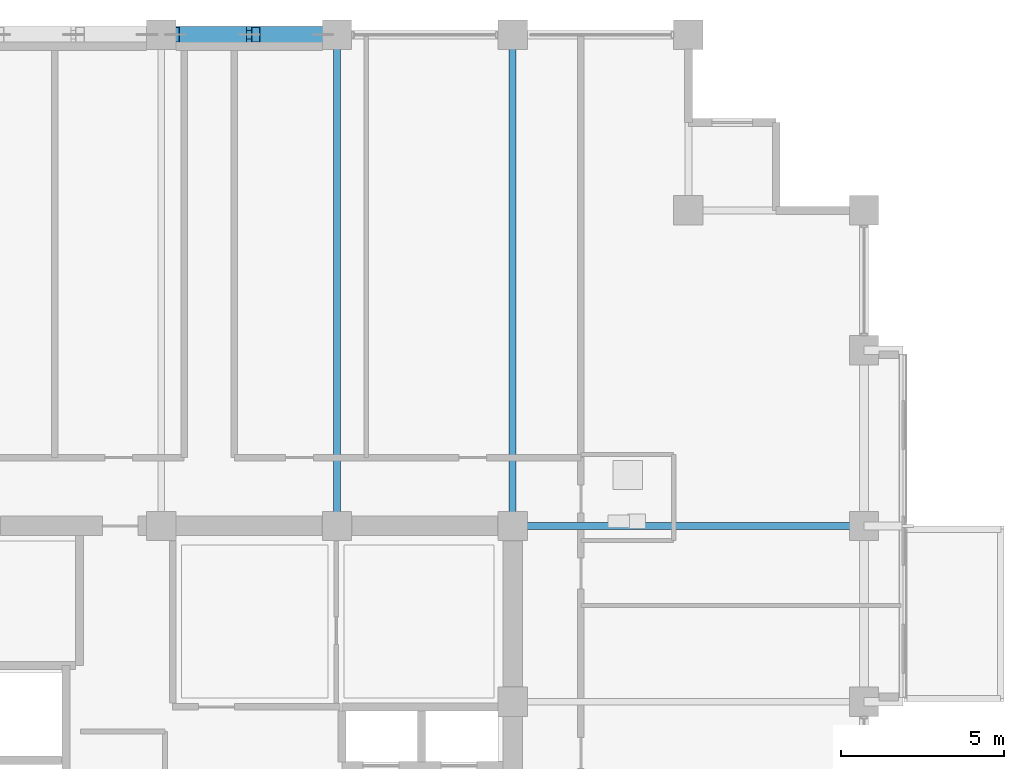
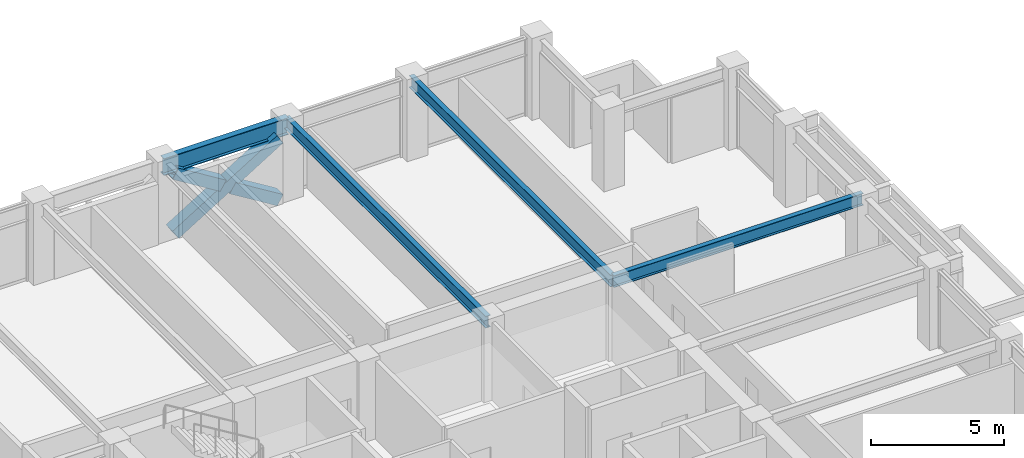
# One storey, part 18 of 28: 4 beams, 3 members.
"""IFC4 building model written with IfcOpenShell, lengths in metres."""

from ifc_helpers import new_model, si_unit, direction, frame, origin, origin_2d, place, context, subcontext, project, spatial, hollow_rectangle, i_section, extrude, material, material_profile, profile_set, type_object, element, save


model = new_model("IFC4")

# Units and contexts
model_context = context("Model", 3, precision=1e-05, world=origin(), true_north=direction((0.0, 1.0)))
body_context = subcontext(model_context, "Body", "Model", "MODEL_VIEW")
ifc_project = project(units=[si_unit("LENGTHUNIT", "METRE"), si_unit("AREAUNIT", "SQUARE_METRE"), si_unit("VOLUMEUNIT", "CUBIC_METRE"), si_unit("PLANEANGLEUNIT", "RADIAN"), si_unit("MASSUNIT", "GRAM", prefix="KILO")], contexts=[model_context])

# Site, building, storey
site_placement = place(None, origin())
site = spatial("IfcSite", under=ifc_project, at=site_placement, CompositionType="ELEMENT")
building_placement = place(site_placement, origin())
building = spatial("IfcBuilding", under=site, at=building_placement, Name="Surkhivell Harbour Commons", CompositionType="ELEMENT")
storey_placement = place(building_placement, frame((0.0, 0.0, 182.25)))
storey = spatial("IfcBuildingStorey", under=building, at=storey_placement, Name="L47", CompositionType="ELEMENT", Elevation=182.25)

# Beams
ifc_material_1 = material(Name="Steel S355", Category="steel")
ifc_material_profile_1 = material_profile(ifc_material_1, i_section(OverallWidth=0.2119140625, OverallDepth=0.5439453125, WebThickness=0.0126953125, FlangeThickness=0.021240234375, at=origin_2d()), Name="UB533x210x122")
ifc_profile_set_1 = profile_set([ifc_material_profile_1], Name="Steel S355")
beam_type_1 = type_object("IfcBeamType", Name="BM-GRD-533A", PredefinedType="BEAM", material=ifc_profile_set_1)
for number, where, z_axis, x_axis, name in (
    (1, (5.39990234375, 10.800048828125, 3.298095703125), (0.0, 1.0, 0.0), (-1.0, 0.0, 0.0), "L47 Floor Girder (5.4,10.8)"),
    (2, (10.800048828125, 10.800048828125, 3.298095703125), (0.0, 1.0, 0.0), (-1.0, 0.0, 0.0), "L47 Floor Girder (10.8,10.8)"),
):
    element("IfcBeam", number, at=place(storey_placement, frame(where, z_axis=z_axis, x_axis=x_axis)), inside=storey, type_object=beam_type_1, Name=name, PredefinedType="BEAM", context=body_context, shape_type="SweptSolid", body=[
        extrude(i_section(OverallWidth=0.2119140625, OverallDepth=0.5439453125, WebThickness=0.0126953125, FlangeThickness=0.021240234375, at=origin_2d()), origin(), (0.0, 0.0, 1.0), 15.099853515625),
    ])
beam_1_placement = place(storey_placement, frame((10.800048828125, 10.800048828125, 3.298095703125), z_axis=(1.0, 0.0, 0.0), x_axis=(0.0, 1.0, 0.0)))
element("IfcBeam", 3, at=beam_1_placement, inside=storey, type_object=beam_type_1, Name="L47 Floor Girder (10.8,10.8)", PredefinedType="BEAM", context=body_context, shape_type="SweptSolid", body=[
    extrude(i_section(OverallWidth=0.2119140625, OverallDepth=0.5439453125, WebThickness=0.0126953125, FlangeThickness=0.021240234375, at=origin_2d()), origin(), (0.0, 0.0, 1.0), 10.800048828125),
])
ifc_material_profile_2 = material_profile(ifc_material_1, i_section(OverallWidth=0.26806640625, OverallDepth=0.77001953125, WebThickness=0.015625, FlangeThickness=0.025390625, at=origin_2d()), Name="UB762x267x197")
ifc_profile_set_2 = profile_set([ifc_material_profile_2], Name="Steel S355")
beam_type_2 = type_object("IfcBeamType", Name="BM-SPN-762", PredefinedType="SPANDREL", material=ifc_profile_set_2)
beam_2_placement = place(storey_placement, frame((0.0, 25.89990234375, 3.18505859375), z_axis=(1.0, 0.0, 0.0), x_axis=(0.0, 1.0, 0.0)))
element("IfcBeam", 4, at=beam_2_placement, inside=storey, type_object=beam_type_2, Name="L47 Tube Spandrel (-0.0,25.9)", PredefinedType="SPANDREL", context=body_context, shape_type="SweptSolid", body=[
    extrude(i_section(OverallWidth=0.26806640625, OverallDepth=0.77001953125, WebThickness=0.015625, FlangeThickness=0.025390625, at=origin_2d()), origin(), (0.0, 0.0, 1.0), 5.39990234375),
])

# Members
ifc_material_2 = material(Name="Steel S460", Category="steel")
ifc_material_profile_3 = material_profile(ifc_material_2, hollow_rectangle(XDim=0.5, YDim=0.5, WallThickness=0.02490234375, at=origin_2d()), Name="SHS500x500x25")
ifc_profile_set_3 = profile_set([ifc_material_profile_3], Name="Steel S460")
member_type = type_object("IfcMemberType", Name="MEM-BRC-SHS500", PredefinedType="BRACE", material=ifc_profile_set_3)
member_placement = place(storey_placement, frame((0.43505859375, 25.89990234375, 0.008056640625), z_axis=(0.850971032488, 0.0, 0.525212625387), x_axis=(0.0, 1.0, 0.0)))
element("IfcMember", 5, at=member_placement, inside=storey, type_object=member_type, Name="L47 Perimeter Mega-Brace MB- 04", PredefinedType="BRACE", context=body_context, shape_type="SweptSolid", body=[
    extrude(hollow_rectangle(XDim=0.5, YDim=0.5, WallThickness=0.02490234375, at=origin_2d()), origin(), (0.0, 0.0, 1.0), 5.323486328125),
])
for number, where, z_axis, x_axis, name in (
    (6, (4.965087890625, 25.89990234375, 0.008056640625), (-0.8510034189, 0.0, 0.525160147974), (0.0, -1.0, 0.0), "L47 Perimeter Mega-Brace MB- 05"),
    (7, (2.495849609375, 25.89990234375, 1.531982421875), (-0.850958361341, 0.0, 0.525233155146), (0.0, -1.0, 0.0), "L47 Perimeter Mega-Brace MB- 06"),
):
    element("IfcMember", number, at=place(storey_placement, frame(where, z_axis=z_axis, x_axis=x_axis)), inside=storey, type_object=member_type, Name=name, PredefinedType="BRACE", context=body_context, shape_type="SweptSolid", body=[
        extrude(hollow_rectangle(XDim=0.5, YDim=0.5, WallThickness=0.02490234375, at=origin_2d()), origin(), (0.0, 0.0, 1.0), 2.421630859375),
    ])

save(model, "model.ifc")
